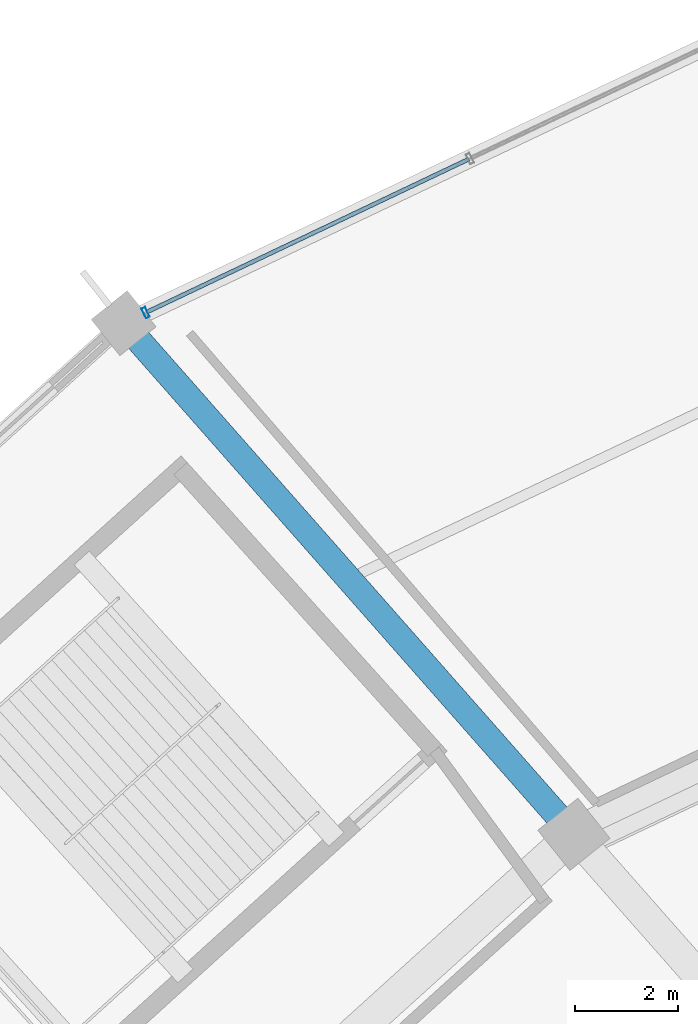
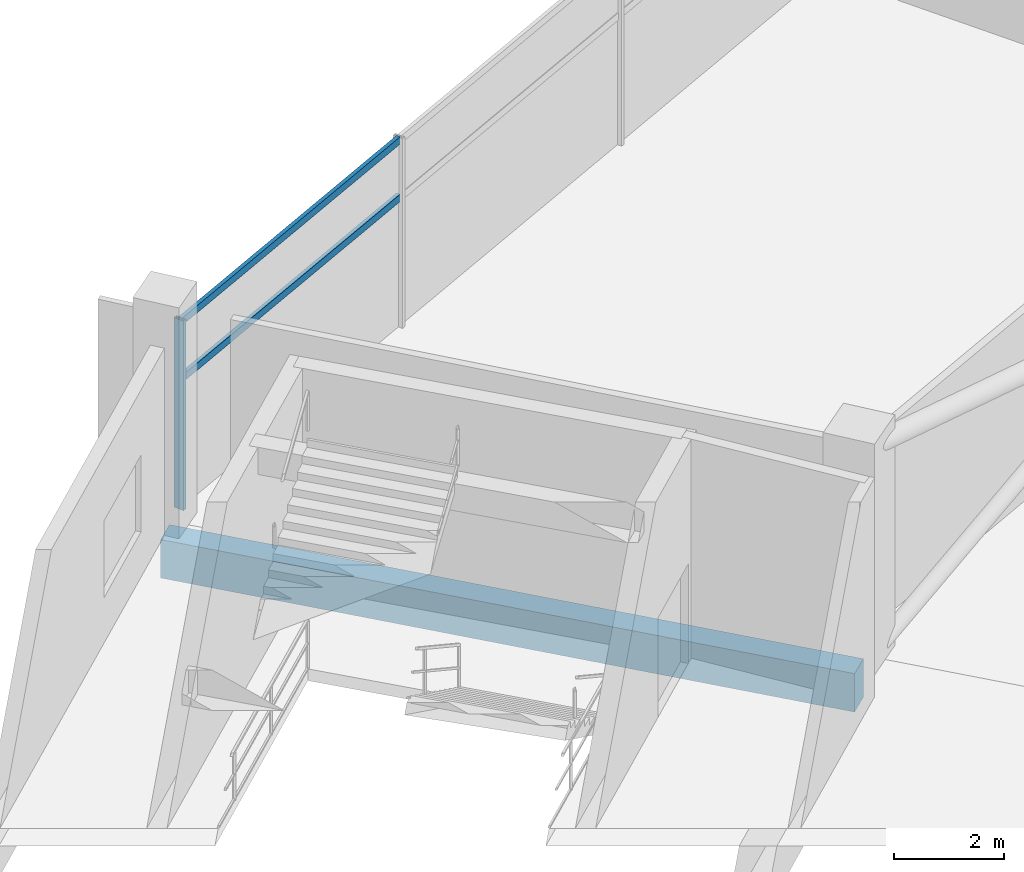
# One storey, part 100 of 184: 3 members, 1 beam, 1 element without a shape of its own.
"""IFC4 building model written with IfcOpenShell, lengths in metres."""

from ifc_helpers import new_model, si_unit, direction, frame, origin, origin_2d, place, context, subcontext, project, spatial, rectangle, hollow_rectangle, extrude, material, layer, layer_set, material_profile, profile_set, type_object, element, aggregate, save


model = new_model("IFC4")

# Units and contexts
model_context = context("Model", 3, precision=1e-05, world=origin(), true_north=direction((0.0, 1.0)))
body_context = subcontext(model_context, "Body", "Model", "MODEL_VIEW")
ifc_project = project(units=[si_unit("LENGTHUNIT", "METRE"), si_unit("AREAUNIT", "SQUARE_METRE"), si_unit("VOLUMEUNIT", "CUBIC_METRE"), si_unit("PLANEANGLEUNIT", "RADIAN"), si_unit("MASSUNIT", "GRAM", prefix="KILO")], contexts=[model_context])

# Site, building, storey
site_placement = place(None, origin())
site = spatial("IfcSite", under=ifc_project, at=site_placement, CompositionType="ELEMENT")
building_placement = place(site_placement, origin())
building = spatial("IfcBuilding", under=site, at=building_placement, Name="Kazemori Nagisa Stadium", CompositionType="ELEMENT")
storey_placement = place(building_placement, frame((0.0, 0.0, 10.5400390625)))
storey = spatial("IfcBuildingStorey", under=building, at=storey_placement, Name="L02", CompositionType="ELEMENT", Elevation=10.5400390625)

# Beam
ifc_material_1 = material(Name="Concrete C40/50 (Fc42)", Category="concrete")
ifc_material_profile_1 = material_profile(ifc_material_1, rectangle(XDim=0.5, YDim=0.85009765625, at=origin_2d()), Name="RC-BM-500x850")
ifc_profile_set_1 = profile_set([ifc_material_profile_1], Name="Concrete C40/50 (Fc42)")
beam_type = type_object("IfcBeamType", Name="Beam_BG-RC500X850", PredefinedType="BEAM", material=ifc_profile_set_1)
beam_placement = place(storey_placement, frame((69.165771484375, 163.11083984375, -0.68505859375), z_axis=(-0.661019680997, 0.750368563664, 0.0), x_axis=(-0.750368563664, -0.661019680997, 0.0)))
element("IfcBeam", 1, at=beam_placement, inside=storey, type_object=beam_type, Name="Radial girder BG-RC500X850 L02 R2-R3-11", PredefinedType="BEAM", context=body_context, shape_type="SweptSolid", body=[
    extrude(rectangle(XDim=0.5, YDim=0.85009765625, at=origin_2d()), origin(), (0.0, 0.0, 1.0), 13.2578125),
])

# Curtain wall, members
ifc_material_2 = material(Name="Anodised aluminium 6063-T5", Category="aluminium")
ifc_layer = layer(ifc_material_2, 0.2099609375, Name="Anodised aluminium 6063-T5", Category="aluminium")
ifc_layer_set = layer_set([ifc_layer], Name="Anodised aluminium 6063-T5")
curtain_wall_type = type_object("IfcCurtainWallType", Name="CW_L02R3_105", PredefinedType="USERDEFINED", material=ifc_layer_set)
curtain_wall_placement = place(storey_placement, origin())
curtain_wall = element("IfcCurtainWall", 2, at=curtain_wall_placement, inside=storey, type_object=curtain_wall_type, Name="Unitised curtain wall CW-L02R3-105 L02", ObjectType="UNITISED CURTAIN WALL", PredefinedType="USERDEFINED")
ifc_material_3 = material(Name="Aluminium 6063-T5 anodised", Category="aluminium")
ifc_material_profile_2 = material_profile(ifc_material_3, hollow_rectangle(XDim=0.080078125, YDim=0.2099609375, WallThickness=0.0048828125, at=origin_2d()), Name="ALU-MULL-80x210x5")
ifc_profile_set_2 = profile_set([ifc_material_profile_2], Name="Aluminium 6063-T5 anodised")
member_type_1 = type_object("IfcMemberType", Name="Mullion_M02", PredefinedType="MULLION", material=ifc_profile_set_2)
member_1_placement = place(storey_placement, frame((60.8310546875, 173.262939453125, 0.0), z_axis=(0.0, 0.0, 1.0), x_axis=(-0.903215892654, -0.429186499388, 0.0)))
member_1 = element("IfcMember", 3, at=member_1_placement, type_object=member_type_1, Name="Curtain wall mullion CW-L02R3-105-M4", PredefinedType="MULLION", context=body_context, shape_type="SweptSolid", body=[
    extrude(hollow_rectangle(XDim=0.080078125, YDim=0.2099609375, WallThickness=0.0048828125, at=origin_2d()), origin(), (0.0, 0.0, 1.0), 4.18994140625),
])
ifc_material_profile_3 = material_profile(ifc_material_3, hollow_rectangle(XDim=0.080078125, YDim=0.159912109375, WallThickness=0.00390625, at=origin_2d()), Name="ALU-TRAN-80x160x4")
ifc_profile_set_3 = profile_set([ifc_material_profile_3], Name="Aluminium 6063-T5 anodised")
member_type_2 = type_object("IfcMemberType", Name="Transom_T02", PredefinedType="USERDEFINED", material=ifc_profile_set_3)
member_2_placement = place(storey_placement, frame((67.124755859375, 176.25341796875, 2.84912109375), z_axis=(-0.903221322461, -0.429175072264, 0.0), x_axis=(0.429175072264, -0.903221322461, 0.0)))
member_2 = element("IfcMember", 4, at=member_2_placement, type_object=member_type_2, Name="Curtain wall transom CW-L02R3-105-T3-mid", ObjectType="TRANSOM", PredefinedType="USERDEFINED", context=body_context, shape_type="SweptSolid", body=[
    extrude(hollow_rectangle(XDim=0.080078125, YDim=0.159912109375, WallThickness=0.00390625, at=origin_2d()), origin(), (0.0, 0.0, 1.0), 6.947998046875),
])
member_3_placement = place(storey_placement, frame((67.124755859375, 176.25341796875, 4.119873046875), z_axis=(-0.903221322461, -0.429175072264, 0.0), x_axis=(0.429175072264, -0.903221322461, 0.0)))
member_3 = element("IfcMember", 5, at=member_3_placement, type_object=member_type_2, Name="Curtain wall transom CW-L02R3-105-T3-head", ObjectType="TRANSOM", PredefinedType="USERDEFINED", context=body_context, shape_type="SweptSolid", body=[
    extrude(hollow_rectangle(XDim=0.080078125, YDim=0.159912109375, WallThickness=0.00390625, at=origin_2d()), origin(), (0.0, 0.0, 1.0), 6.947998046875),
])
aggregate(curtain_wall, [member_1, member_2, member_3])

save(model, "model.ifc")
